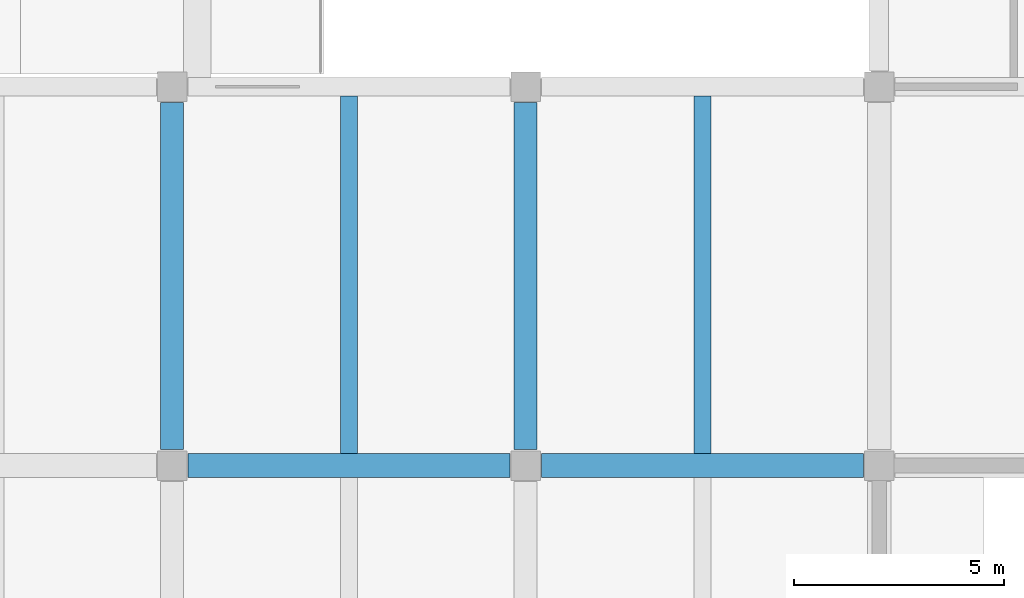
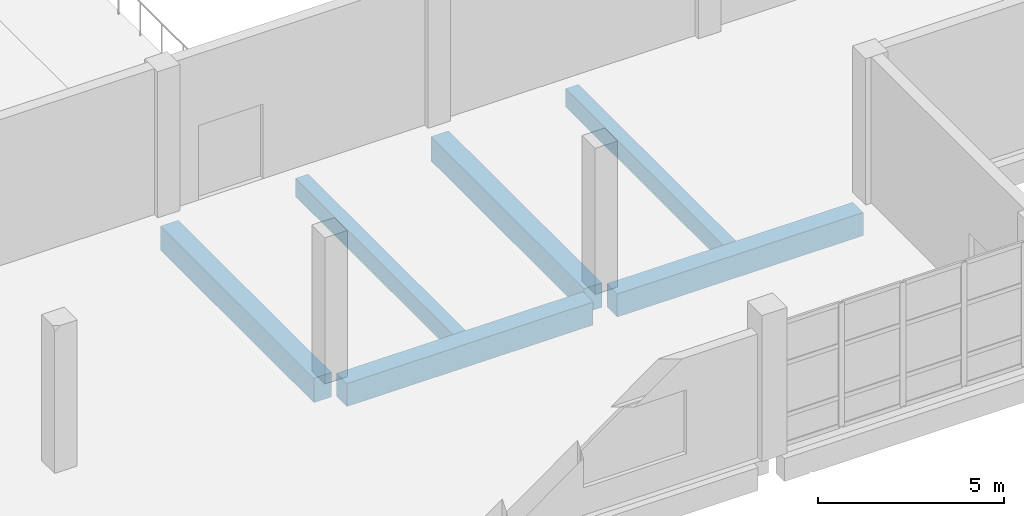
# One storey, part 8 of 91: 6 beams.
"""IFC4 building model written with IfcOpenShell, lengths in metres."""

import ifcopenshell
import ifcopenshell.guid

model = None  # the IFC model being written
_history = None  # IfcOwnerHistory: only IFC2X3 demands one
_inside = {}  # id of a spatial element -> (the spatial element, [elements in it])
_under = {}  # id of a project, library or spatial element -> (it, [spatial elements below it])
_declared = {}  # id of a project -> (the project, [libraries it declares])
_typed = {}  # id of a type object -> (the type object, [elements of that type])
_made_of = {}  # id of a material, layer set ... -> (it, [elements and type objects made of it])


def new_model(schema):
    """Start an empty IFC model of exactly this schema.

    Asked for "IFC4X3", IfcOpenShell would pick the latest addendum, in which some entities
    have other attributes; the version numbers below select the first issue.
    IFC2X3 requires an IfcOwnerHistory on every rooted entity: one is made here for all.
    """
    global model, _history
    if schema == "IFC4X3":
        model = ifcopenshell.file(schema_version=(4, 3, 0, 0))
    else:
        model = ifcopenshell.file(schema=schema)
    _inside.clear()
    _under.clear()
    _declared.clear()
    _typed.clear()
    _made_of.clear()
    _history = None
    if model.schema == "IFC2X3":
        org = make("IfcOrganization", Name="unknown")
        user = make(
            "IfcPersonAndOrganization",
            ThePerson=make("IfcPerson", FamilyName="unknown"),
            TheOrganization=org,
        )
        app = make(
            "IfcApplication",
            ApplicationDeveloper=org,
            Version="unknown",
            ApplicationFullName="unknown",
            ApplicationIdentifier="unknown",
        )
        _history = make(
            "IfcOwnerHistory",
            OwningUser=user,
            OwningApplication=app,
            ChangeAction="ADDED",
            CreationDate=0,
        )
    return model


def make(cls, **values):
    """One entity of the class cls with the attributes given. An attribute that is None is left unset."""
    return model.create_entity(
        cls, **{name: value for name, value in values.items() if value is not None}
    )


def rooted(cls, **values):
    """An entity with a GlobalId (a new one), such as an element, a storey or a relation."""
    return make(cls, GlobalId=ifcopenshell.guid.new(), OwnerHistory=_history, **values)


def si_unit(unit_type, name, prefix=None):
    """IfcSIUnit, for example si_unit("LENGTHUNIT", "METRE", prefix="MILLI")."""
    return make("IfcSIUnit", UnitType=unit_type, Prefix=prefix, Name=name)


def assignment(units):
    """IfcUnitAssignment: the units of a project."""
    return None if units is None else make("IfcUnitAssignment", Units=units)


def point(xyz):
    """IfcCartesianPoint."""
    return None if xyz is None else make("IfcCartesianPoint", Coordinates=xyz)


def direction(xyz):
    """IfcDirection."""
    return None if xyz is None else make("IfcDirection", DirectionRatios=xyz)


def frame(location, z_axis=None, x_axis=None):
    """IfcAxis2Placement3D, a coordinate frame: its origin and axes. An axis left out is left unset."""
    return make(
        "IfcAxis2Placement3D",
        Location=point(location),
        Axis=direction(z_axis),
        RefDirection=direction(x_axis),
    )


def frame_2d(location, x_axis=None):
    """IfcAxis2Placement2D, a coordinate frame in the plane: its origin and x axis."""
    return make(
        "IfcAxis2Placement2D", Location=point(location), RefDirection=direction(x_axis)
    )


def origin():
    """The frame at (0, 0, 0) with its axes left unset."""
    return frame((0.0, 0.0, 0.0))


def origin_2d():
    """The frame at (0, 0) in the plane with its x axis left unset."""
    return frame_2d((0.0, 0.0))


def place(relative_to, where):
    """IfcLocalPlacement: puts the frame where relative to a parent placement (None: the world)."""
    return make(
        "IfcLocalPlacement", PlacementRelTo=relative_to, RelativePlacement=where
    )


def context(
    kind, dimensions, precision=None, world=None, true_north=None, identifier=None
):
    """IfcGeometricRepresentationContext, for example the 3D "Model" context."""
    return make(
        "IfcGeometricRepresentationContext",
        ContextIdentifier=identifier,
        ContextType=kind,
        CoordinateSpaceDimension=dimensions,
        Precision=precision,
        WorldCoordinateSystem=world,
        TrueNorth=true_north,
    )


def subcontext(parent, identifier, kind, view, scale=None):
    """IfcGeometricRepresentationSubContext, for example "Body" below "Model"."""
    return make(
        "IfcGeometricRepresentationSubContext",
        ContextIdentifier=identifier,
        ContextType=kind,
        ParentContext=parent,
        TargetScale=scale,
        TargetView=view,
    )


def project(units=None, contexts=None):
    """IfcProject with its units and contexts."""
    return rooted(
        "IfcProject",
        Name="project",
        RepresentationContexts=contexts,
        UnitsInContext=assignment(units),
    )


def spatial(cls, under=None, at=None, **own):
    """A site, building, storey or space (cls), placed at a placement, below another one or the project."""
    s = rooted(cls, ObjectPlacement=at, **own)
    if under is not None:
        _under.setdefault(under.id(), (under, []))[1].append(s)
    return s


def profile(cls, at=None, kind="AREA", **sizes):
    """A parametric profile (cls). Its sizes go by their IFC names, for example OverallWidth=200.0."""
    return make(cls, ProfileType=kind, Position=at, **sizes)


def rectangle(**sizes):
    """IfcRectangleProfileDef."""
    return profile("IfcRectangleProfileDef", **sizes)


def extrude(swept, where, along, depth):
    """IfcExtrudedAreaSolid: the profile swept, set in the frame where, extruded along a direction by depth."""
    return make(
        "IfcExtrudedAreaSolid",
        SweptArea=swept,
        Position=where,
        ExtrudedDirection=direction(along),
        Depth=depth,
    )


def shape(context_of_items, identifier, shape_type, items):
    """IfcShapeRepresentation: the items that make up one representation, for example the "Body"."""
    return make(
        "IfcShapeRepresentation",
        ContextOfItems=context_of_items,
        RepresentationIdentifier=identifier,
        RepresentationType=shape_type,
        Items=items,
    )


def material(Name=None, Category=None):
    """IfcMaterial."""
    return make("IfcMaterial", Name=Name, Category=Category)


def material_profile(
    of_material, cross_section, Name=None, Category=None, Priority=None
):
    """IfcMaterialProfile: a cross section and its material."""
    return make(
        "IfcMaterialProfile",
        Name=Name,
        Material=of_material,
        Profile=cross_section,
        Priority=Priority,
        Category=Category,
    )


def profile_set(profiles, Name=None, composite=None):
    """IfcMaterialProfileSet."""
    return make(
        "IfcMaterialProfileSet",
        Name=Name,
        MaterialProfiles=profiles,
        CompositeProfile=composite,
    )


def made_of(thing, what):
    """Note that an element or type object is made of a material, layer set ...; save() writes the relation."""
    if what is not None:
        _made_of.setdefault(what.id(), (what, []))[1].append(thing)
    return thing


def type_object(cls, material=None, **own):
    """A type object (cls), such as IfcWallType, which elements share."""
    return made_of(rooted(cls, **own), material)


def element(
    cls,
    number,
    at=None,
    inside=None,
    cuts=None,
    type_object=None,
    material=None,
    context=None,
    identifier="Body",
    shape_type=None,
    held_by="IfcProductDefinitionShape",
    body=None,
    shapes=None,
    **own,
):
    """One element of the class cls, such as IfcWall. Its Tag is "e" and its number.

    at: its placement. inside: the storey or other place that contains it. cuts: it is an
    opening in that element (IfcRelVoidsElement). A single representation is given by context,
    identifier, shape_type and body (its items); several are given by shapes. held_by: the class
    of the entity that holds the representations. save() writes the other relations.
    """
    e = rooted(cls, Tag="e%d" % number, ObjectPlacement=at, **own)
    if body is not None:
        shapes = [shape(context, identifier, shape_type, body)]
    if shapes is not None:
        e.Representation = make(held_by, Representations=shapes)
    if inside is not None:
        _inside.setdefault(inside.id(), (inside, []))[1].append(e)
    if cuts is not None:
        rooted(
            "IfcRelVoidsElement", RelatingBuildingElement=cuts, RelatedOpeningElement=e
        )
    if type_object is not None:
        _typed.setdefault(type_object.id(), (type_object, []))[1].append(e)
    return made_of(e, material)


def aggregate(whole, parts):
    """IfcRelAggregates: a whole, such as a stair, and the parts it consists of."""
    return rooted("IfcRelAggregates", RelatingObject=whole, RelatedObjects=parts)


def save(model, path):
    """Write the relations noted so far, then the file.

    IfcRelAggregates (storeys below a building ...), IfcRelContainedInSpatialStructure (elements
    in a storey), IfcRelDefinesByType, IfcRelAssociatesMaterial and IfcRelDeclares: one each for
    every whole, place, type object, material and project.
    """
    for whole, parts in _under.values():
        aggregate(whole, parts)
    for where, things in _inside.values():
        rooted(
            "IfcRelContainedInSpatialStructure",
            RelatedElements=things,
            RelatingStructure=where,
        )
    for kind, things in _typed.values():
        rooted("IfcRelDefinesByType", RelatedObjects=things, RelatingType=kind)
    for what, things in _made_of.values():
        rooted("IfcRelAssociatesMaterial", RelatedObjects=things, RelatingMaterial=what)
    for by, libraries in _declared.values():
        rooted("IfcRelDeclares", RelatingContext=by, RelatedDefinitions=libraries)
    model.write(path)


model = new_model("IFC4")

# Units and contexts
model_context = context("Model", 3, precision=1e-05, world=origin(), true_north=direction((0.0, 1.0)))
body_context = subcontext(model_context, "Body", "Model", "MODEL_VIEW")
ifc_project = project(units=[si_unit("LENGTHUNIT", "METRE"), si_unit("AREAUNIT", "SQUARE_METRE"), si_unit("VOLUMEUNIT", "CUBIC_METRE"), si_unit("PLANEANGLEUNIT", "RADIAN"), si_unit("MASSUNIT", "GRAM", prefix="KILO")], contexts=[model_context])

# Site, building, storey
site_placement = place(None, origin())
site = spatial("IfcSite", under=ifc_project, at=site_placement, CompositionType="ELEMENT")
building_placement = place(site_placement, origin())
building = spatial("IfcBuilding", under=site, at=building_placement, Name="Pellamere Symphony Hall", CompositionType="ELEMENT")
storey_placement = place(building_placement, frame((0.0, 0.0, 5.39990234375)))
storey = spatial("IfcBuildingStorey", under=building, at=storey_placement, Name="L01", CompositionType="ELEMENT", Elevation=5.39990234375)

# Beams
ifc_material = material(Name="Concrete 40 MPa", Category="concrete")
ifc_material_profile_1 = material_profile(ifc_material, rectangle(XDim=0.550048828125, YDim=0.800048828125, at=origin_2d()), Name="RC 550x800")
ifc_profile_set_1 = profile_set([ifc_material_profile_1], Name="Concrete 40 MPa")
beam_type_1 = type_object("IfcBeamType", Name="RC CB-05 550x800", PredefinedType="BEAM", material=ifc_profile_set_1)
for number, where, z_axis, x_axis, name in (
    (1, (16.800048828125, 9.375, -0.679931640625), (0.0, 1.0, 0.0), (-1.0, 0.0, 0.0), "Girder CB-05-Y0727 (L01)"),
    (2, (25.199951171875, 9.375, -0.679931640625), (0.0, 1.0, 0.0), (-1.0, 0.0, 0.0), "Girder CB-05-Y0731 (L01)"),
):
    element("IfcBeam", number, at=place(storey_placement, frame(where, z_axis=z_axis, x_axis=x_axis)), inside=storey, type_object=beam_type_1, Name=name, PredefinedType="BEAM", context=body_context, shape_type="SweptSolid", body=[
        extrude(rectangle(XDim=0.550048828125, YDim=0.800048828125, at=origin_2d()), origin(), (0.0, 0.0, 1.0), 8.25),
    ])
ifc_material_profile_2 = material_profile(ifc_material, rectangle(XDim=0.39990234375, YDim=0.60009765625, at=origin_2d()), Name="RC 400x600")
ifc_profile_set_2 = profile_set([ifc_material_profile_2], Name="Concrete 40 MPa")
beam_type_2 = type_object("IfcBeamType", Name="RC CB-09 400x600", PredefinedType="BEAM", material=ifc_profile_set_2)
for number, where, z_axis, x_axis, name in (
    (3, (21.0, 9.280029296875, -0.594970703125), (0.0, 1.0, 0.0), (-1.0, 0.0, 0.0), "Secondary Floor Beam CB-09-M0201 (L01)"),
    (4, (29.39990234375, 9.280029296875, -0.594970703125), (0.0, 1.0, 0.0), (-1.0, 0.0, 0.0), "Secondary Floor Beam CB-09-M0301 (L01)"),
):
    element("IfcBeam", number, at=place(storey_placement, frame(where, z_axis=z_axis, x_axis=x_axis)), inside=storey, type_object=beam_type_2, Name=name, PredefinedType="BEAM", context=body_context, shape_type="SweptSolid", body=[
        extrude(rectangle(XDim=0.39990234375, YDim=0.60009765625, at=origin_2d()), origin(), (0.0, 0.0, 1.0), 8.494873046875),
    ])
ifc_material_profile_3 = material_profile(ifc_material, rectangle(XDim=0.56005859375, YDim=0.760009765625, at=origin_2d()), Name="RC 560x760")
ifc_profile_set_3 = profile_set([ifc_material_profile_3], Name="Concrete 40 MPa")
beam_type_3 = type_object("IfcBeamType", Name="RC CB-18 560x760", PredefinedType="BEAM", material=ifc_profile_set_3)
beam_1_placement = place(storey_placement, frame((17.175048828125, 9.0, -0.659912109375), z_axis=(1.0, 0.0, 0.0), x_axis=(0.0, 1.0, 0.0)))
element("IfcBeam", 5, at=beam_1_placement, inside=storey, type_object=beam_type_3, Name="Girder CB-18-X0539 (L01)", PredefinedType="BEAM", context=body_context, shape_type="SweptSolid", body=[
    extrude(rectangle(XDim=0.56005859375, YDim=0.760009765625, at=origin_2d()), origin(), (0.0, 0.0, 1.0), 7.64990234375),
])
beam_2_placement = place(storey_placement, frame((25.574951171875, 9.0, -0.659912109375), z_axis=(1.0, 0.0, 0.0), x_axis=(0.0, 1.0, 0.0)))
element("IfcBeam", 6, at=beam_2_placement, inside=storey, type_object=beam_type_3, Name="Girder CB-18-X0540 (L01)", PredefinedType="BEAM", context=body_context, shape_type="SweptSolid", body=[
    extrude(rectangle(XDim=0.56005859375, YDim=0.760009765625, at=origin_2d()), origin(), (0.0, 0.0, 1.0), 7.650146484375),
])

save(model, "model.ifc")
